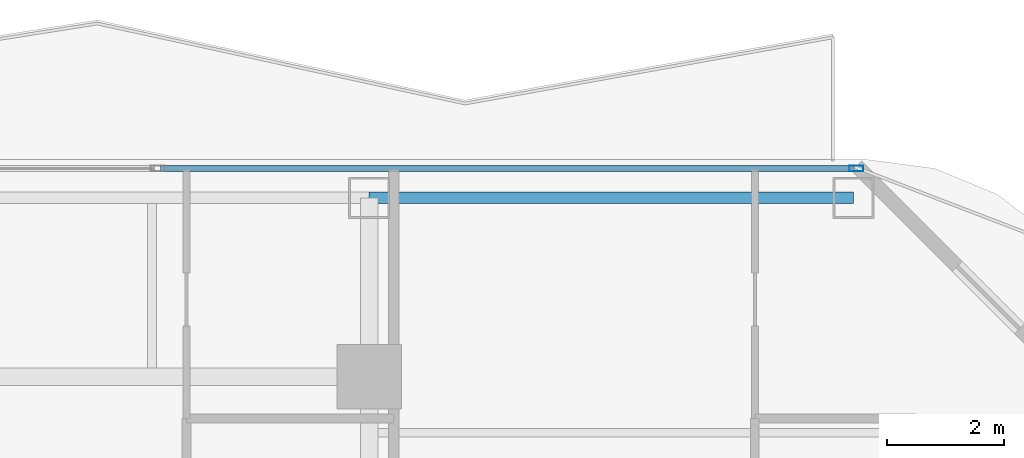
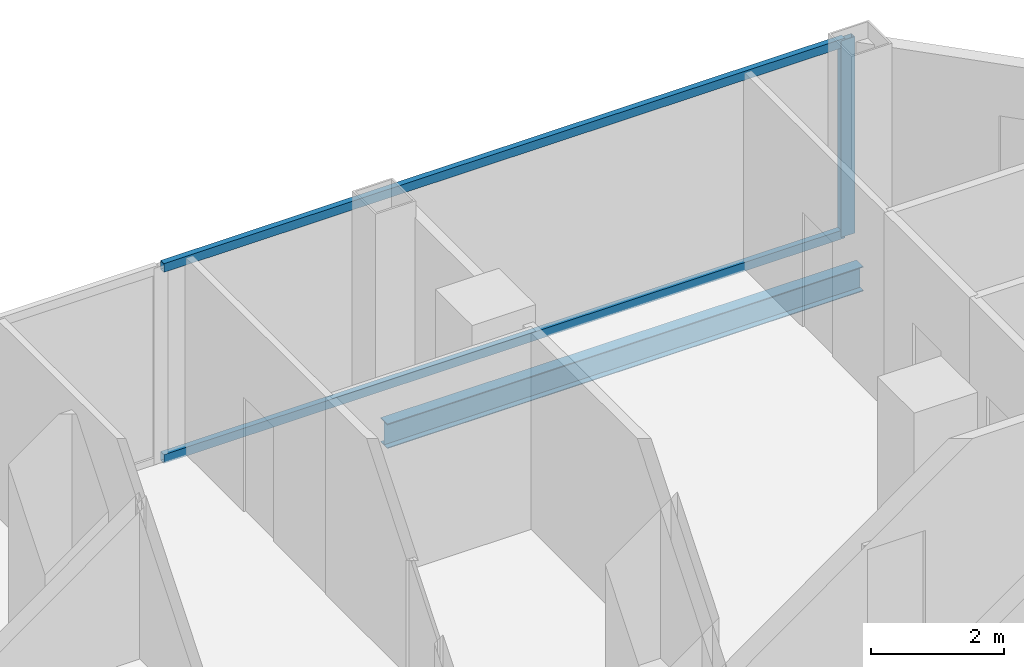
# One storey, part 18 of 27: 3 members, 1 beam, 1 element without a shape of its own.
"""IFC4 building model written with IfcOpenShell, lengths in metres."""

import ifcopenshell
import ifcopenshell.guid

model = None  # the IFC model being written
_history = None  # IfcOwnerHistory: only IFC2X3 demands one
_inside = {}  # id of a spatial element -> (the spatial element, [elements in it])
_under = {}  # id of a project, library or spatial element -> (it, [spatial elements below it])
_declared = {}  # id of a project -> (the project, [libraries it declares])
_typed = {}  # id of a type object -> (the type object, [elements of that type])
_made_of = {}  # id of a material, layer set ... -> (it, [elements and type objects made of it])


def new_model(schema):
    """Start an empty IFC model of exactly this schema.

    Asked for "IFC4X3", IfcOpenShell would pick the latest addendum, in which some entities
    have other attributes; the version numbers below select the first issue.
    IFC2X3 requires an IfcOwnerHistory on every rooted entity: one is made here for all.
    """
    global model, _history
    if schema == "IFC4X3":
        model = ifcopenshell.file(schema_version=(4, 3, 0, 0))
    else:
        model = ifcopenshell.file(schema=schema)
    _inside.clear()
    _under.clear()
    _declared.clear()
    _typed.clear()
    _made_of.clear()
    _history = None
    if model.schema == "IFC2X3":
        org = make("IfcOrganization", Name="unknown")
        user = make(
            "IfcPersonAndOrganization",
            ThePerson=make("IfcPerson", FamilyName="unknown"),
            TheOrganization=org,
        )
        app = make(
            "IfcApplication",
            ApplicationDeveloper=org,
            Version="unknown",
            ApplicationFullName="unknown",
            ApplicationIdentifier="unknown",
        )
        _history = make(
            "IfcOwnerHistory",
            OwningUser=user,
            OwningApplication=app,
            ChangeAction="ADDED",
            CreationDate=0,
        )
    return model


def make(cls, **values):
    """One entity of the class cls with the attributes given. An attribute that is None is left unset."""
    return model.create_entity(
        cls, **{name: value for name, value in values.items() if value is not None}
    )


def rooted(cls, **values):
    """An entity with a GlobalId (a new one), such as an element, a storey or a relation."""
    return make(cls, GlobalId=ifcopenshell.guid.new(), OwnerHistory=_history, **values)


def si_unit(unit_type, name, prefix=None):
    """IfcSIUnit, for example si_unit("LENGTHUNIT", "METRE", prefix="MILLI")."""
    return make("IfcSIUnit", UnitType=unit_type, Prefix=prefix, Name=name)


def assignment(units):
    """IfcUnitAssignment: the units of a project."""
    return None if units is None else make("IfcUnitAssignment", Units=units)


def point(xyz):
    """IfcCartesianPoint."""
    return None if xyz is None else make("IfcCartesianPoint", Coordinates=xyz)


def direction(xyz):
    """IfcDirection."""
    return None if xyz is None else make("IfcDirection", DirectionRatios=xyz)


def frame(location, z_axis=None, x_axis=None):
    """IfcAxis2Placement3D, a coordinate frame: its origin and axes. An axis left out is left unset."""
    return make(
        "IfcAxis2Placement3D",
        Location=point(location),
        Axis=direction(z_axis),
        RefDirection=direction(x_axis),
    )


def frame_2d(location, x_axis=None):
    """IfcAxis2Placement2D, a coordinate frame in the plane: its origin and x axis."""
    return make(
        "IfcAxis2Placement2D", Location=point(location), RefDirection=direction(x_axis)
    )


def origin():
    """The frame at (0, 0, 0) with its axes left unset."""
    return frame((0.0, 0.0, 0.0))


def origin_2d():
    """The frame at (0, 0) in the plane with its x axis left unset."""
    return frame_2d((0.0, 0.0))


def place(relative_to, where):
    """IfcLocalPlacement: puts the frame where relative to a parent placement (None: the world)."""
    return make(
        "IfcLocalPlacement", PlacementRelTo=relative_to, RelativePlacement=where
    )


def context(
    kind, dimensions, precision=None, world=None, true_north=None, identifier=None
):
    """IfcGeometricRepresentationContext, for example the 3D "Model" context."""
    return make(
        "IfcGeometricRepresentationContext",
        ContextIdentifier=identifier,
        ContextType=kind,
        CoordinateSpaceDimension=dimensions,
        Precision=precision,
        WorldCoordinateSystem=world,
        TrueNorth=true_north,
    )


def subcontext(parent, identifier, kind, view, scale=None):
    """IfcGeometricRepresentationSubContext, for example "Body" below "Model"."""
    return make(
        "IfcGeometricRepresentationSubContext",
        ContextIdentifier=identifier,
        ContextType=kind,
        ParentContext=parent,
        TargetScale=scale,
        TargetView=view,
    )


def project(units=None, contexts=None):
    """IfcProject with its units and contexts."""
    return rooted(
        "IfcProject",
        Name="project",
        RepresentationContexts=contexts,
        UnitsInContext=assignment(units),
    )


def spatial(cls, under=None, at=None, **own):
    """A site, building, storey or space (cls), placed at a placement, below another one or the project."""
    s = rooted(cls, ObjectPlacement=at, **own)
    if under is not None:
        _under.setdefault(under.id(), (under, []))[1].append(s)
    return s


def profile(cls, at=None, kind="AREA", **sizes):
    """A parametric profile (cls). Its sizes go by their IFC names, for example OverallWidth=200.0."""
    return make(cls, ProfileType=kind, Position=at, **sizes)


def hollow_rectangle(**sizes):
    """IfcRectangleHollowProfileDef."""
    return profile("IfcRectangleHollowProfileDef", **sizes)


def i_section(**sizes):
    """IfcIShapeProfileDef."""
    return profile("IfcIShapeProfileDef", **sizes)


def extrude(swept, where, along, depth):
    """IfcExtrudedAreaSolid: the profile swept, set in the frame where, extruded along a direction by depth."""
    return make(
        "IfcExtrudedAreaSolid",
        SweptArea=swept,
        Position=where,
        ExtrudedDirection=direction(along),
        Depth=depth,
    )


def shape(context_of_items, identifier, shape_type, items):
    """IfcShapeRepresentation: the items that make up one representation, for example the "Body"."""
    return make(
        "IfcShapeRepresentation",
        ContextOfItems=context_of_items,
        RepresentationIdentifier=identifier,
        RepresentationType=shape_type,
        Items=items,
    )


def material(Name=None, Category=None):
    """IfcMaterial."""
    return make("IfcMaterial", Name=Name, Category=Category)


def layer(
    of_material, thickness, ventilated=None, Name=None, Category=None, Priority=None
):
    """IfcMaterialLayer: one layer of a wall or slab, of a material (None: an air gap)."""
    return make(
        "IfcMaterialLayer",
        Material=of_material,
        LayerThickness=thickness,
        IsVentilated=ventilated,
        Name=Name,
        Category=Category,
        Priority=Priority,
    )


def layer_set(layers, Name=None):
    """IfcMaterialLayerSet."""
    return make("IfcMaterialLayerSet", MaterialLayers=layers, LayerSetName=Name)


def material_profile(
    of_material, cross_section, Name=None, Category=None, Priority=None
):
    """IfcMaterialProfile: a cross section and its material."""
    return make(
        "IfcMaterialProfile",
        Name=Name,
        Material=of_material,
        Profile=cross_section,
        Priority=Priority,
        Category=Category,
    )


def profile_set(profiles, Name=None, composite=None):
    """IfcMaterialProfileSet."""
    return make(
        "IfcMaterialProfileSet",
        Name=Name,
        MaterialProfiles=profiles,
        CompositeProfile=composite,
    )


def made_of(thing, what):
    """Note that an element or type object is made of a material, layer set ...; save() writes the relation."""
    if what is not None:
        _made_of.setdefault(what.id(), (what, []))[1].append(thing)
    return thing


def type_object(cls, material=None, **own):
    """A type object (cls), such as IfcWallType, which elements share."""
    return made_of(rooted(cls, **own), material)


def element(
    cls,
    number,
    at=None,
    inside=None,
    cuts=None,
    type_object=None,
    material=None,
    context=None,
    identifier="Body",
    shape_type=None,
    held_by="IfcProductDefinitionShape",
    body=None,
    shapes=None,
    **own,
):
    """One element of the class cls, such as IfcWall. Its Tag is "e" and its number.

    at: its placement. inside: the storey or other place that contains it. cuts: it is an
    opening in that element (IfcRelVoidsElement). A single representation is given by context,
    identifier, shape_type and body (its items); several are given by shapes. held_by: the class
    of the entity that holds the representations. save() writes the other relations.
    """
    e = rooted(cls, Tag="e%d" % number, ObjectPlacement=at, **own)
    if body is not None:
        shapes = [shape(context, identifier, shape_type, body)]
    if shapes is not None:
        e.Representation = make(held_by, Representations=shapes)
    if inside is not None:
        _inside.setdefault(inside.id(), (inside, []))[1].append(e)
    if cuts is not None:
        rooted(
            "IfcRelVoidsElement", RelatingBuildingElement=cuts, RelatedOpeningElement=e
        )
    if type_object is not None:
        _typed.setdefault(type_object.id(), (type_object, []))[1].append(e)
    return made_of(e, material)


def aggregate(whole, parts):
    """IfcRelAggregates: a whole, such as a stair, and the parts it consists of."""
    return rooted("IfcRelAggregates", RelatingObject=whole, RelatedObjects=parts)


def save(model, path):
    """Write the relations noted so far, then the file.

    IfcRelAggregates (storeys below a building ...), IfcRelContainedInSpatialStructure (elements
    in a storey), IfcRelDefinesByType, IfcRelAssociatesMaterial and IfcRelDeclares: one each for
    every whole, place, type object, material and project.
    """
    for whole, parts in _under.values():
        aggregate(whole, parts)
    for where, things in _inside.values():
        rooted(
            "IfcRelContainedInSpatialStructure",
            RelatedElements=things,
            RelatingStructure=where,
        )
    for kind, things in _typed.values():
        rooted("IfcRelDefinesByType", RelatedObjects=things, RelatingType=kind)
    for what, things in _made_of.values():
        rooted("IfcRelAssociatesMaterial", RelatedObjects=things, RelatingMaterial=what)
    for by, libraries in _declared.values():
        rooted("IfcRelDeclares", RelatingContext=by, RelatedDefinitions=libraries)
    model.write(path)


model = new_model("IFC4")

# Units and contexts
model_context = context("Model", 3, precision=1e-05, world=origin(), true_north=direction((0.0, 1.0)))
body_context = subcontext(model_context, "Body", "Model", "MODEL_VIEW")
ifc_project = project(units=[si_unit("LENGTHUNIT", "METRE"), si_unit("AREAUNIT", "SQUARE_METRE"), si_unit("VOLUMEUNIT", "CUBIC_METRE"), si_unit("PLANEANGLEUNIT", "RADIAN"), si_unit("MASSUNIT", "GRAM", prefix="KILO")], contexts=[model_context])

# Site, building, storey
site_placement = place(None, origin())
site = spatial("IfcSite", under=ifc_project, at=site_placement, CompositionType="ELEMENT")
building_placement = place(site_placement, origin())
building = spatial("IfcBuilding", under=site, at=building_placement, Name="Khorvyn Point Tower", CompositionType="ELEMENT")
storey_placement = place(building_placement, frame((0.0, 0.0, 152.39990234375)))
storey = spatial("IfcBuildingStorey", under=building, at=storey_placement, Name="L38", CompositionType="ELEMENT", Elevation=152.39990234375)

# Curtain wall, members
ifc_material_1 = material(Name="Anodised aluminium 6063-T6 and laminated Low-E glass", Category="aluminium")
ifc_layer = layer(ifc_material_1, 0.18994140625)
ifc_layer_set = layer_set([ifc_layer], Name="Stick-Built Acoustic Curtain Wall CW-SYS-03")
curtain_wall_type = type_object("IfcCurtainWallType", Name="Stick-Built Acoustic Curtain Wall CW-SYS-03", PredefinedType="NOTDEFINED", material=ifc_layer_set)
curtain_wall_placement = place(storey_placement, origin())
curtain_wall = element("IfcCurtainWall", 1, at=curtain_wall_placement, inside=storey, type_object=curtain_wall_type, Name="Curtain Wall", PredefinedType="NOTDEFINED")
ifc_material_2 = material(Name="Anodised aluminium 6063-T6", Category="aluminium")
ifc_material_profile_1 = material_profile(ifc_material_2, hollow_rectangle(XDim=0.10009765625, YDim=0.239990234375, WallThickness=0.0048828125, at=origin_2d()))
ifc_profile_set_1 = profile_set([ifc_material_profile_1], Name="Anodised aluminium 6063-T6 ALU-MUL-100x240")
member_type_1 = type_object("IfcMemberType", Name="Anodised Aluminium 6063-T6 Mullion ALU-MUL-100x240", PredefinedType="MULLION", material=ifc_profile_set_1)
member_1_placement = place(storey_placement, frame((23.10009765625, 23.64990234375, 0.0), z_axis=(0.0, 0.0, 1.0), x_axis=(0.0, 1.0, 0.0)))
member_1 = element("IfcMember", 2, at=member_1_placement, type_object=member_type_1, Name="Transom", PredefinedType="MULLION", context=body_context, shape_type="SweptSolid", body=[
    extrude(hollow_rectangle(XDim=0.10009765625, YDim=0.239990234375, WallThickness=0.0048828125, at=origin_2d()), origin(), (0.0, 0.0, 1.0), 3.60009765625),
])
ifc_material_profile_2 = material_profile(ifc_material_2, hollow_rectangle(XDim=0.10009765625, YDim=0.159912109375, WallThickness=0.00439453125, at=origin_2d()))
ifc_profile_set_2 = profile_set([ifc_material_profile_2], Name="Anodised aluminium 6063-T6 ALU-TRN-100x160")
member_type_2 = type_object("IfcMemberType", Name="Anodised Aluminium 6063-T6 Transom ALU-TRN-100x160", PredefinedType="USERDEFINED", material=ifc_profile_set_2)
member_2_placement = place(storey_placement, frame((11.2470703125, 23.64990234375, 0.050048828125), z_axis=(1.0, 0.0, 0.0), x_axis=(0.0, 1.0, 0.0)))
member_2 = element("IfcMember", 3, at=member_2_placement, type_object=member_type_2, Name="Transom", ObjectType="TRANSOM", PredefinedType="USERDEFINED", context=body_context, shape_type="SweptSolid", body=[
    extrude(hollow_rectangle(XDim=0.10009765625, YDim=0.159912109375, WallThickness=0.00439453125, at=origin_2d()), origin(), (0.0, 0.0, 1.0), 11.802978515625),
])
member_3_placement = place(storey_placement, frame((11.2470703125, 23.64990234375, 3.550048828125), z_axis=(1.0, 0.0, 0.0), x_axis=(0.0, 1.0, 0.0)))
member_3 = element("IfcMember", 4, at=member_3_placement, type_object=member_type_2, Name="Transom", ObjectType="TRANSOM", PredefinedType="USERDEFINED", context=body_context, shape_type="SweptSolid", body=[
    extrude(hollow_rectangle(XDim=0.10009765625, YDim=0.159912109375, WallThickness=0.00439453125, at=origin_2d()), origin(), (0.0, 0.0, 1.0), 11.802978515625),
])
aggregate(curtain_wall, [member_1, member_2, member_3])

# Beam
ifc_material_3 = material(Name="Steel S355", Category="steel")
ifc_material_profile_3 = material_profile(ifc_material_3, i_section(OverallWidth=0.199951171875, OverallDepth=0.449951171875, WebThickness=0.009033203125, FlangeThickness=0.013916015625, at=origin_2d()))
ifc_profile_set_3 = profile_set([ifc_material_profile_3], Name="Steel S355 H450x200x9x14")
beam_type = type_object("IfcBeamType", Name="Steel S355 Spandrel H450x200x9x14", PredefinedType="SPANDREL", material=ifc_profile_set_3)
beam_placement = place(storey_placement, frame((14.800048828125, 23.14990234375, -0.44482421875), z_axis=(1.0, 0.0, 0.0), x_axis=(0.0, 1.0, 0.0)))
element("IfcBeam", 5, at=beam_placement, inside=storey, type_object=beam_type, Name="Beam", PredefinedType="SPANDREL", context=body_context, shape_type="SweptSolid", body=[
    extrude(i_section(OverallWidth=0.199951171875, OverallDepth=0.449951171875, WebThickness=0.009033203125, FlangeThickness=0.013916015625, at=origin_2d()), origin(), (0.0, 0.0, 1.0), 8.25),
])

save(model, "model.ifc")
